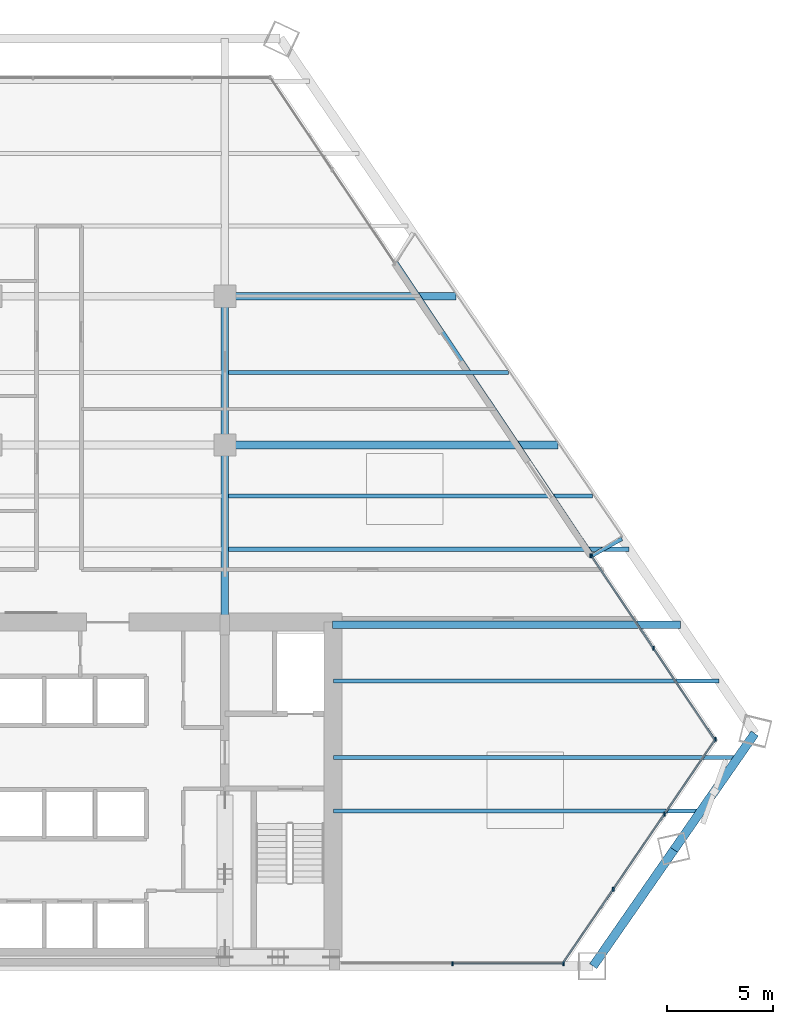
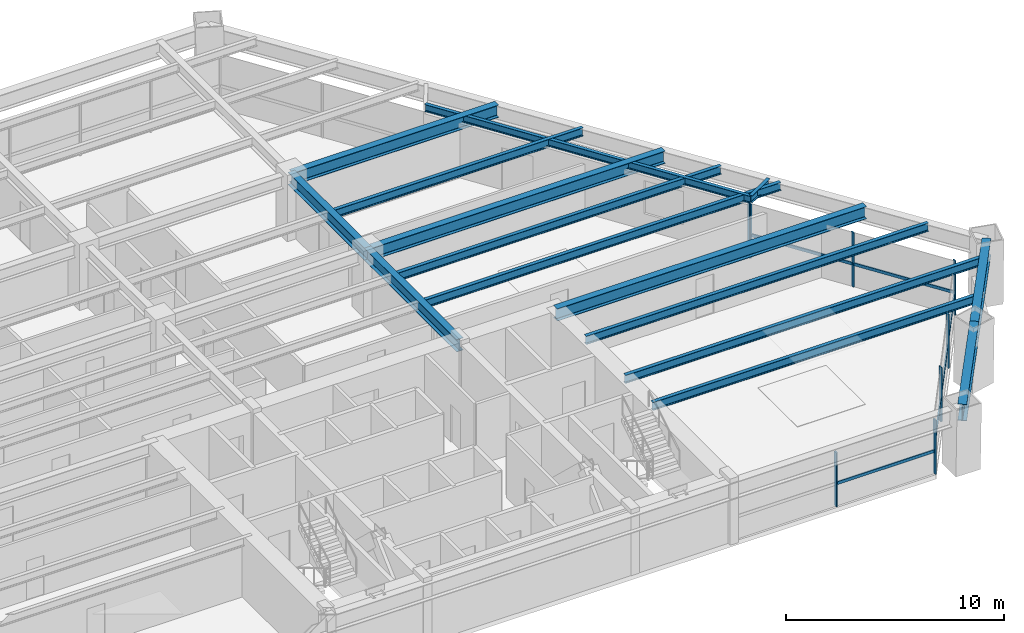
# One storey, part 6 of 14: 15 beams, 14 members, 3 elements without a shape of their own.
"""IFC4 building model written with IfcOpenShell, lengths in metres."""

from ifc_helpers import new_model, si_unit, direction, frame, origin, origin_2d, place, context, subcontext, project, spatial, rectangle, i_section, extrude, source, transform, mapped, material, material_profile, profile_set, type_object, type_shapes, element, aggregate, save


model = new_model("IFC4")

# Units and contexts
model_context = context("Model", 3, precision=1e-05, world=origin(), true_north=direction((0.0, 1.0)))
body_context = subcontext(model_context, "Body", "Model", "MODEL_VIEW")
ifc_project = project(units=[si_unit("LENGTHUNIT", "METRE"), si_unit("AREAUNIT", "SQUARE_METRE"), si_unit("VOLUMEUNIT", "CUBIC_METRE"), si_unit("PLANEANGLEUNIT", "RADIAN"), si_unit("MASSUNIT", "GRAM", prefix="KILO")], contexts=[model_context])

# Site, building, storey
site_placement = place(None, origin())
site = spatial("IfcSite", under=ifc_project, at=site_placement, CompositionType="ELEMENT")
building_placement = place(site_placement, origin())
building = spatial("IfcBuilding", under=site, at=building_placement, Name="Varnakhor Terracotta Tower", CompositionType="ELEMENT")
storey_placement = place(building_placement, frame((0.0, 0.0, 46.0)))
storey = spatial("IfcBuildingStorey", under=building, at=storey_placement, Name="L10", CompositionType="ELEMENT", Elevation=46.0)

# Beams
ifc_material_1 = material(Name="Steel S355", Category="steel")
ifc_material_profile_1 = material_profile(ifc_material_1, i_section(OverallWidth=0.35498046875, OverallDepth=0.695068359375, WebThickness=0.014892578125, FlangeThickness=0.02490234375, FilletRadius=0.01806640625, at=origin_2d()), Name="W27X146")
ifc_profile_set_1 = profile_set([ifc_material_profile_1], Name="Steel S355")
beam_type_1 = type_object("IfcBeamType", Name="BM-W27X146", PredefinedType="BEAM", material=ifc_profile_set_1)
shared_shape_1 = source(origin(), body_context, "Body", "SweptSolid", [
    extrude(i_section(OverallWidth=0.35498046875, OverallDepth=0.695068359375, WebThickness=0.014892578125, FlangeThickness=0.02490234375, FilletRadius=0.01806640625, at=origin_2d()), origin(), (0.0, 0.0, 1.0), 8.449951171875),
])
type_shapes(beam_type_1, [shared_shape_1])
beam_1_placement = place(storey_placement, frame((5.5, 16.050048828125, 3.1025390625), z_axis=(0.0, 1.0, 0.0), x_axis=(-1.0, 0.0, 0.0)))
element("IfcBeam", 1, at=beam_1_placement, inside=storey, type_object=beam_type_1, Name="L10 Primary Girder NS1-E", PredefinedType="BEAM", context=body_context, shape_type="MappedRepresentation", body=[
    mapped(shared_shape_1, transform((0.0, 0.0, 0.0), scale=1.0)),
])
shared_shape_2 = source(origin(), body_context, "Body", "SweptSolid", [
    extrude(i_section(OverallWidth=0.35498046875, OverallDepth=0.695068359375, WebThickness=0.014892578125, FlangeThickness=0.02490234375, FilletRadius=0.01806640625, at=origin_2d()), origin(), (0.0, 0.0, 1.0), 7.0),
])
beam_2_placement = place(storey_placement, frame((5.5, 24.5, 3.1025390625), z_axis=(0.0, 1.0, 0.0), x_axis=(-1.0, 0.0, 0.0)))
element("IfcBeam", 2, at=beam_2_placement, inside=storey, type_object=beam_type_1, Name="L10 Primary Girder NS2-E", PredefinedType="BEAM", context=body_context, shape_type="MappedRepresentation", body=[
    mapped(shared_shape_2, transform((0.0, 0.0, 0.0), scale=1.0)),
])
ifc_material_profile_2 = material_profile(ifc_material_1, i_section(OverallWidth=0.41796875, OverallDepth=0.927001953125, WebThickness=0.01904296875, FlangeThickness=0.031982421875, FilletRadius=0.01806640625, at=origin_2d()), Name="W36X231")
ifc_profile_set_2 = profile_set([ifc_material_profile_2], Name="Steel S355")
beam_type_2 = type_object("IfcBeamType", Name="BM-W36X231", PredefinedType="BEAM", material=ifc_profile_set_2)
shared_shape_3 = source(origin(), body_context, "Body", "SweptSolid", [
    extrude(i_section(OverallWidth=0.41796875, OverallDepth=0.927001953125, WebThickness=0.01904296875, FlangeThickness=0.031982421875, FilletRadius=0.01806640625, at=origin_2d()), origin(), (0.0, 0.0, 1.0), 6.66064453125),
])
beam_3_placement = place(storey_placement, frame((22.80859375, 0.0, 2.986572265625), z_axis=(0.57041779056, 0.821354700609, 0.0), x_axis=(-0.821354700609, 0.57041779056, 0.0)))
element("IfcBeam", 3, at=beam_3_placement, inside=storey, type_object=beam_type_2, Name="L10 Perimeter Spandrel 2", PredefinedType="BEAM", context=body_context, shape_type="MappedRepresentation", body=[
    mapped(shared_shape_3, transform((0.0, 0.0, 0.0), scale=1.0)),
])
shared_shape_4 = source(origin(), body_context, "Body", "SweptSolid", [
    extrude(i_section(OverallWidth=0.41796875, OverallDepth=0.927001953125, WebThickness=0.01904296875, FlangeThickness=0.031982421875, FilletRadius=0.01806640625, at=origin_2d()), origin(), (0.0, 0.0, 1.0), 6.66015625),
])
beam_4_placement = place(storey_placement, frame((26.60791015625, 5.470703125, 2.986572265625), z_axis=(0.570410235351, 0.82135994753, 0.0), x_axis=(-0.82135994753, 0.570410235351, 0.0)))
element("IfcBeam", 4, at=beam_4_placement, inside=storey, type_object=beam_type_2, Name="L10 Perimeter Spandrel 3", PredefinedType="BEAM", context=body_context, shape_type="MappedRepresentation", body=[
    mapped(shared_shape_4, transform((0.0, 0.0, 0.0), scale=1.0)),
])
ifc_material_profile_3 = material_profile(ifc_material_1, i_section(OverallWidth=0.179931640625, OverallDepth=0.39990234375, WebThickness=0.008544921875, FlangeThickness=0.013427734375, FilletRadius=0.01806640625, at=origin_2d()), Name="IPE400")
ifc_profile_set_3 = profile_set([ifc_material_profile_3], Name="Steel S355")
beam_type_3 = type_object("IfcBeamType", Name="JST-IPE400", PredefinedType="JOIST", material=ifc_profile_set_3)
shared_shape_5 = source(origin(), body_context, "Body", "SweptSolid", [
    extrude(i_section(OverallWidth=0.179931640625, OverallDepth=0.39990234375, WebThickness=0.008544921875, FlangeThickness=0.013427734375, FilletRadius=0.01806640625, at=origin_2d()), origin(), (0.0, 0.0, 1.0), 16.621337890625),
])
beam_5_placement = place(storey_placement, frame((22.762939453125, 19.304443359375, 3.25), z_axis=(-0.55608577936, 0.831124903967, 0.0), x_axis=(-0.831124903967, -0.55608577936, 0.0)))
element("IfcBeam", 5, at=beam_5_placement, inside=storey, type_object=beam_type_3, Name="L10 Loggia Edge Beam 1", PredefinedType="JOIST", context=body_context, shape_type="MappedRepresentation", body=[
    mapped(shared_shape_5, transform((0.0, 0.0, 0.0), scale=1.0)),
])
shared_shape_6 = source(origin(), body_context, "Body", "SweptSolid", [
    extrude(i_section(OverallWidth=0.35498046875, OverallDepth=0.695068359375, WebThickness=0.014892578125, FlangeThickness=0.02490234375, FilletRadius=0.01806640625, at=origin_2d()), origin(), (0.0, 0.0, 1.0), 16.3681640625),
])
beam_6_placement = place(storey_placement, frame((10.550048828125, 16.050048828125, 3.1025390625), z_axis=(1.0, 0.0, 0.0), x_axis=(0.0, 1.0, 0.0)))
element("IfcBeam", 6, at=beam_6_placement, inside=storey, type_object=beam_type_1, Name="L10 Wing Girder E", PredefinedType="BEAM", context=body_context, shape_type="MappedRepresentation", body=[
    mapped(shared_shape_6, transform((0.0, 0.0, 0.0), scale=1.0)),
])
shared_shape_7 = source(origin(), body_context, "Body", "SweptSolid", [
    extrude(i_section(OverallWidth=0.35498046875, OverallDepth=0.695068359375, WebThickness=0.014892578125, FlangeThickness=0.02490234375, FilletRadius=0.01806640625, at=origin_2d()), origin(), (0.0, 0.0, 1.0), 15.6474609375),
])
beam_7_placement = place(storey_placement, frame((5.5, 24.5, 3.1025390625), z_axis=(1.0, 0.0, 0.0), x_axis=(0.0, 1.0, 0.0)))
element("IfcBeam", 7, at=beam_7_placement, inside=storey, type_object=beam_type_1, Name="L10 Primary Girder EW2-3", PredefinedType="BEAM", context=body_context, shape_type="MappedRepresentation", body=[
    mapped(shared_shape_7, transform((0.0, 0.0, 0.0), scale=1.0)),
])
shared_shape_8 = source(origin(), body_context, "Body", "SweptSolid", [
    extrude(i_section(OverallWidth=0.35498046875, OverallDepth=0.695068359375, WebThickness=0.014892578125, FlangeThickness=0.02490234375, FilletRadius=0.01806640625, at=origin_2d()), origin(), (0.0, 0.0, 1.0), 10.866943359375),
])
beam_8_placement = place(storey_placement, frame((5.5, 31.5, 3.1025390625), z_axis=(1.0, 0.0, 0.0), x_axis=(0.0, 1.0, 0.0)))
element("IfcBeam", 8, at=beam_8_placement, inside=storey, type_object=beam_type_1, Name="L10 Primary Girder EW3-3", PredefinedType="BEAM", context=body_context, shape_type="MappedRepresentation", body=[
    mapped(shared_shape_8, transform((0.0, 0.0, 0.0), scale=1.0)),
])
ifc_material_profile_4 = material_profile(ifc_material_1, i_section(OverallWidth=0.19189453125, OverallDepth=0.462890625, WebThickness=0.010498046875, FlangeThickness=0.017578125, FilletRadius=0.01806640625, at=origin_2d()), Name="W18X60")
ifc_profile_set_4 = profile_set([ifc_material_profile_4], Name="Steel S355")
beam_type_4 = type_object("IfcBeamType", Name="JST-W18X60", PredefinedType="JOIST", material=ifc_profile_set_4)
shared_shape_9 = source(origin(), body_context, "Body", "SweptSolid", [
    extrude(i_section(OverallWidth=0.19189453125, OverallDepth=0.462890625, WebThickness=0.010498046875, FlangeThickness=0.017578125, FilletRadius=0.01806640625, at=origin_2d()), origin(), (0.0, 0.0, 1.0), 17.2783203125),
])
beam_9_placement = place(storey_placement, frame((10.60009765625, 7.300048828125, 3.218505859375), z_axis=(1.0, 0.0, 0.0), x_axis=(0.0, 1.0, 0.0)))
element("IfcBeam", 9, at=beam_9_placement, inside=storey, type_object=beam_type_4, Name="L10 Floor Joist E1", PredefinedType="JOIST", context=body_context, shape_type="MappedRepresentation", body=[
    mapped(shared_shape_9, transform((0.0, 0.0, 0.0), scale=1.0)),
])
shared_shape_10 = source(origin(), body_context, "Body", "SweptSolid", [
    extrude(i_section(OverallWidth=0.19189453125, OverallDepth=0.462890625, WebThickness=0.010498046875, FlangeThickness=0.017578125, FilletRadius=0.01806640625, at=origin_2d()), origin(), (0.0, 0.0, 1.0), 19.014404296875),
])
beam_10_placement = place(storey_placement, frame((10.60009765625, 9.800048828125, 3.218505859375), z_axis=(1.0, 0.0, 0.0), x_axis=(0.0, 1.0, 0.0)))
element("IfcBeam", 10, at=beam_10_placement, inside=storey, type_object=beam_type_4, Name="L10 Floor Joist E2", PredefinedType="JOIST", context=body_context, shape_type="MappedRepresentation", body=[
    mapped(shared_shape_10, transform((0.0, 0.0, 0.0), scale=1.0)),
])
shared_shape_11 = source(origin(), body_context, "Body", "SweptSolid", [
    extrude(i_section(OverallWidth=0.19189453125, OverallDepth=0.462890625, WebThickness=0.010498046875, FlangeThickness=0.017578125, FilletRadius=0.01806640625, at=origin_2d()), origin(), (0.0, 0.0, 1.0), 18.127685546875),
])
beam_11_placement = place(storey_placement, frame((10.60009765625, 13.39990234375, 3.218505859375), z_axis=(1.0, 0.0, 0.0), x_axis=(0.0, 1.0, 0.0)))
element("IfcBeam", 11, at=beam_11_placement, inside=storey, type_object=beam_type_4, Name="L10 Floor Joist E3", PredefinedType="JOIST", context=body_context, shape_type="MappedRepresentation", body=[
    mapped(shared_shape_11, transform((0.0, 0.0, 0.0), scale=1.0)),
])
shared_shape_12 = source(origin(), body_context, "Body", "SweptSolid", [
    extrude(i_section(OverallWidth=0.19189453125, OverallDepth=0.462890625, WebThickness=0.010498046875, FlangeThickness=0.017578125, FilletRadius=0.01806640625, at=origin_2d()), origin(), (0.0, 0.0, 1.0), 18.8203125),
])
beam_12_placement = place(storey_placement, frame((5.673583984375, 19.60009765625, 3.218505859375), z_axis=(1.0, 0.0, 0.0), x_axis=(0.0, 1.0, 0.0)))
element("IfcBeam", 12, at=beam_12_placement, inside=storey, type_object=beam_type_4, Name="L10 Composite Floor Joist 4-3", PredefinedType="JOIST", context=body_context, shape_type="MappedRepresentation", body=[
    mapped(shared_shape_12, transform((0.0, 0.0, 0.0), scale=1.0)),
])
shared_shape_13 = source(origin(), body_context, "Body", "SweptSolid", [
    extrude(i_section(OverallWidth=0.19189453125, OverallDepth=0.462890625, WebThickness=0.010498046875, FlangeThickness=0.017578125, FilletRadius=0.01806640625, at=origin_2d()), origin(), (0.0, 0.0, 1.0), 17.113037109375),
])
beam_13_placement = place(storey_placement, frame((5.673583984375, 22.10009765625, 3.218505859375), z_axis=(1.0, 0.0, 0.0), x_axis=(0.0, 1.0, 0.0)))
element("IfcBeam", 13, at=beam_13_placement, inside=storey, type_object=beam_type_4, Name="L10 Composite Floor Joist 5-3", PredefinedType="JOIST", context=body_context, shape_type="MappedRepresentation", body=[
    mapped(shared_shape_13, transform((0.0, 0.0, 0.0), scale=1.0)),
])
shared_shape_14 = source(origin(), body_context, "Body", "SweptSolid", [
    extrude(i_section(OverallWidth=0.19189453125, OverallDepth=0.462890625, WebThickness=0.010498046875, FlangeThickness=0.017578125, FilletRadius=0.01806640625, at=origin_2d()), origin(), (0.0, 0.0, 1.0), 13.15185546875),
])
beam_14_placement = place(storey_placement, frame((5.673583984375, 27.89990234375, 3.218505859375), z_axis=(1.0, 0.0, 0.0), x_axis=(0.0, 1.0, 0.0)))
element("IfcBeam", 14, at=beam_14_placement, inside=storey, type_object=beam_type_4, Name="L10 Composite Floor Joist 6-3", PredefinedType="JOIST", context=body_context, shape_type="MappedRepresentation", body=[
    mapped(shared_shape_14, transform((0.0, 0.0, 0.0), scale=1.0)),
])

# Curtain wall, members
ifc_material_2 = material(Name="Anodised Aluminium Curtain Wall System", Category="aluminium")
curtain_wall_type = type_object("IfcCurtainWallType", Name="CW-SYS-LOW-OFFICE", PredefinedType="NOTDEFINED", material=ifc_material_2)
curtain_wall_1_placement = place(storey_placement, origin())
curtain_wall_1 = element("IfcCurtainWall", 15, at=curtain_wall_1_placement, inside=storey, type_object=curtain_wall_type, Name="L10 E Facet Curtain Wall 2", PredefinedType="NOTDEFINED")
ifc_material_3 = material(Name="Anodised Aluminium 6063-T6", Category="aluminium")
ifc_material_profile_5 = material_profile(ifc_material_3, rectangle(XDim=0.074951171875, YDim=0.18505859375, at=origin_2d()), Name="ALU MULLION 75x185")
ifc_profile_set_5 = profile_set([ifc_material_profile_5], Name="Anodised Aluminium 6063-T6")
member_type_1 = type_object("IfcMemberType", Name="CWM-02", PredefinedType="MULLION", material=ifc_profile_set_5)
shared_shape_15 = source(origin(), body_context, "Body", "SweptSolid", [
    extrude(rectangle(XDim=0.074951171875, YDim=0.18505859375, at=origin_2d()), origin(), (0.0, 0.0, 1.0), 3.030029296875),
])
type_shapes(member_type_1, [shared_shape_15])
member_1_placement = place(storey_placement, frame((22.72314453125, 19.29052734375, 0.0), z_axis=(0.0, 0.0, 1.0), x_axis=(1.0, 0.0, 0.0)))
member_1 = element("IfcMember", 16, at=member_1_placement, type_object=member_type_1, Name="L10 E Facet Curtain Wall 2 Mullion 1", PredefinedType="MULLION", context=body_context, shape_type="MappedRepresentation", body=[
    mapped(shared_shape_15, transform((0.0, 0.0, 0.0), scale=1.0)),
])
member_2_placement = place(storey_placement, frame((25.642822265625, 14.940673828125, 0.0), z_axis=(0.0, 0.0, 1.0), x_axis=(1.0, 0.0, 0.0)))
member_2 = element("IfcMember", 17, at=member_2_placement, type_object=member_type_1, Name="L10 E Facet Curtain Wall 2 Mullion 2", PredefinedType="MULLION", context=body_context, shape_type="MappedRepresentation", body=[
    mapped(shared_shape_15, transform((0.0, 0.0, 0.0), scale=1.0)),
])
member_3_placement = place(storey_placement, frame((22.689697265625, 19.30419921875, 0.0), z_axis=(0.0, 0.0, 1.0), x_axis=(1.0, 0.0, 0.0)))
member_3 = element("IfcMember", 18, at=member_3_placement, type_object=member_type_1, Name="L10 E Loggia Jamb Closure Mullion 2", PredefinedType="MULLION", context=body_context, shape_type="MappedRepresentation", body=[
    mapped(shared_shape_15, transform((0.0, 0.0, 0.0), scale=1.0)),
])

curtain_wall_2_placement = place(storey_placement, origin())
curtain_wall_2 = element("IfcCurtainWall", 19, at=curtain_wall_2_placement, inside=storey, type_object=curtain_wall_type, Name="L10 Facet Curtain Wall 4", PredefinedType="NOTDEFINED")
member_4_placement = place(storey_placement, frame((28.562744140625, 10.675537109375, 0.0), z_axis=(0.0, 0.0, 1.0), x_axis=(1.0, 0.0, 0.0)))
member_4 = element("IfcMember", 20, at=member_4_placement, type_object=member_type_1, Name="L10 Facet Curtain Wall 4 Mullion 1", PredefinedType="MULLION", context=body_context, shape_type="MappedRepresentation", body=[
    mapped(shared_shape_15, transform((0.0, 0.0, 0.0), scale=1.0)),
])
member_5_placement = place(storey_placement, frame((26.1591796875, 7.147705078125, 0.0), z_axis=(0.0, 0.0, 1.0), x_axis=(1.0, 0.0, 0.0)))
member_5 = element("IfcMember", 21, at=member_5_placement, type_object=member_type_1, Name="L10 Facet Curtain Wall 4 Mullion 2", PredefinedType="MULLION", context=body_context, shape_type="MappedRepresentation", body=[
    mapped(shared_shape_15, transform((0.0, 0.0, 0.0), scale=1.0)),
])
member_6_placement = place(storey_placement, frame((23.755615234375, 3.6201171875, 0.0), z_axis=(0.0, 0.0, 1.0), x_axis=(1.0, 0.0, 0.0)))
member_6 = element("IfcMember", 22, at=member_6_placement, type_object=member_type_1, Name="L10 Facet Curtain Wall 4 Mullion 3", PredefinedType="MULLION", context=body_context, shape_type="MappedRepresentation", body=[
    mapped(shared_shape_15, transform((0.0, 0.0, 0.0), scale=1.0)),
])

curtain_wall_3_placement = place(storey_placement, origin())
curtain_wall_3 = element("IfcCurtainWall", 23, at=curtain_wall_3_placement, inside=storey, type_object=curtain_wall_type, Name="L10 South Wing Curtain Wall SSE", PredefinedType="NOTDEFINED")
member_7_placement = place(storey_placement, frame((21.42431640625, 0.1201171875, 0.0), z_axis=(0.0, 0.0, 1.0), x_axis=(1.0, 0.0, 0.0)))
member_7 = element("IfcMember", 24, at=member_7_placement, type_object=member_type_1, Name="L10 South Wing Curtain Wall SSE Mullion 1", PredefinedType="MULLION", context=body_context, shape_type="MappedRepresentation", body=[
    mapped(shared_shape_15, transform((0.0, 0.0, 0.0), scale=1.0)),
])
member_8_placement = place(storey_placement, frame((16.197021484375, 0.1201171875, 0.0), z_axis=(0.0, 0.0, 1.0), x_axis=(1.0, 0.0, 0.0)))
member_8 = element("IfcMember", 25, at=member_8_placement, type_object=member_type_1, Name="L10 South Wing Curtain Wall SSE Mullion 2", PredefinedType="MULLION", context=body_context, shape_type="MappedRepresentation", body=[
    mapped(shared_shape_15, transform((0.0, 0.0, 0.0), scale=1.0)),
])

# Member
ifc_material_profile_6 = material_profile(ifc_material_3, rectangle(XDim=0.074951171875, YDim=0.1650390625, at=origin_2d()), Name="ALU TRANSOM 75x165")
ifc_profile_set_6 = profile_set([ifc_material_profile_6], Name="Anodised Aluminium 6063-T6")
member_type_2 = type_object("IfcMemberType", Name="CWT-02", PredefinedType="USERDEFINED", material=ifc_profile_set_6)
shared_shape_16 = source(origin(), body_context, "Body", "SweptSolid", [
    extrude(rectangle(XDim=0.074951171875, YDim=0.1650390625, at=origin_2d()), origin(), (0.0, 0.0, 1.0), 5.23876953125),
])
member_9_placement = place(storey_placement, frame((22.72314453125, 19.29052734375, 1.272705078125), z_axis=(0.557310745008, -0.830304000652, 0.0), x_axis=(0.830304000652, 0.557310745008, 0.0)))
member_9 = element("IfcMember", 26, at=member_9_placement, type_object=member_type_2, Name="L10 E Facet Curtain Wall 2 Transom 1", ObjectType="TRANSOM", PredefinedType="USERDEFINED", context=body_context, shape_type="MappedRepresentation", body=[
    mapped(shared_shape_16, transform((0.0, 0.0, 0.0), scale=1.0)),
])

member_10_placement = place(storey_placement, frame((25.642822265625, 14.940673828125, 1.272705078125), z_axis=(0.557310745008, -0.830304000652, 0.0), x_axis=(0.830304000652, 0.557310745008, 0.0)))
member_10 = element("IfcMember", 27, at=member_10_placement, type_object=member_type_2, Name="L10 E Facet Curtain Wall 2 Transom 2", ObjectType="TRANSOM", PredefinedType="USERDEFINED", context=body_context, shape_type="MappedRepresentation", body=[
    mapped(shared_shape_16, transform((0.0, 0.0, 0.0), scale=1.0)),
])

aggregate(curtain_wall_1, [member_1, member_9, member_2, member_10, member_3])

shared_shape_17 = source(origin(), body_context, "Body", "SweptSolid", [
    extrude(rectangle(XDim=0.074951171875, YDim=0.1650390625, at=origin_2d()), origin(), (0.0, 0.0, 1.0), 4.268798828125),
])
member_11_placement = place(storey_placement, frame((28.562744140625, 10.675537109375, 1.272705078125), z_axis=(-0.563052849224, -0.826420890939, 0.0), x_axis=(0.826420890939, -0.563052849224, 0.0)))
member_11 = element("IfcMember", 28, at=member_11_placement, type_object=member_type_2, Name="L10 Facet Curtain Wall 4 Transom 1", ObjectType="TRANSOM", PredefinedType="USERDEFINED", context=body_context, shape_type="MappedRepresentation", body=[
    mapped(shared_shape_17, transform((0.0, 0.0, 0.0), scale=1.0)),
])

shared_shape_18 = source(origin(), body_context, "Body", "SweptSolid", [
    extrude(rectangle(XDim=0.074951171875, YDim=0.1650390625, at=origin_2d()), origin(), (0.0, 0.0, 1.0), 4.2685546875),
])
member_12_placement = place(storey_placement, frame((26.1591796875, 7.147705078125, 1.272705078125), z_axis=(-0.563079462581, -0.826402758236, 0.0), x_axis=(0.826402758236, -0.563079462581, 0.0)))
member_12 = element("IfcMember", 29, at=member_12_placement, type_object=member_type_2, Name="L10 Facet Curtain Wall 4 Transom 2", ObjectType="TRANSOM", PredefinedType="USERDEFINED", context=body_context, shape_type="MappedRepresentation", body=[
    mapped(shared_shape_18, transform((0.0, 0.0, 0.0), scale=1.0)),
])

shared_shape_19 = source(origin(), body_context, "Body", "SweptSolid", [
    extrude(rectangle(XDim=0.074951171875, YDim=0.1650390625, at=origin_2d()), origin(), (0.0, 0.0, 1.0), 4.26904296875),
])
member_13_placement = place(storey_placement, frame((23.755615234375, 3.6201171875, 1.272705078125), z_axis=(-0.563091907677, -0.826394278482, 0.0), x_axis=(0.826394278482, -0.563091907677, 0.0)))
member_13 = element("IfcMember", 30, at=member_13_placement, type_object=member_type_2, Name="L10 Facet Curtain Wall 4 Transom 3", ObjectType="TRANSOM", PredefinedType="USERDEFINED", context=body_context, shape_type="MappedRepresentation", body=[
    mapped(shared_shape_19, transform((0.0, 0.0, 0.0), scale=1.0)),
])

aggregate(curtain_wall_2, [member_4, member_11, member_5, member_12, member_6, member_13])

shared_shape_20 = source(origin(), body_context, "Body", "SweptSolid", [
    extrude(rectangle(XDim=0.074951171875, YDim=0.1650390625, at=origin_2d()), origin(), (0.0, 0.0, 1.0), 5.227294921875),
])
member_14_placement = place(storey_placement, frame((21.42431640625, 0.1201171875, 1.272705078125), z_axis=(-1.0, 0.0, 0.0), x_axis=(0.0, -1.0, 0.0)))
member_14 = element("IfcMember", 31, at=member_14_placement, type_object=member_type_2, Name="L10 South Wing Curtain Wall SSE Transom 1", ObjectType="TRANSOM", PredefinedType="USERDEFINED", context=body_context, shape_type="MappedRepresentation", body=[
    mapped(shared_shape_20, transform((0.0, 0.0, 0.0), scale=1.0)),
])

aggregate(curtain_wall_3, [member_7, member_14, member_8])

# Beam
shared_shape_21 = source(origin(), body_context, "Body", "SweptSolid", [
    extrude(i_section(OverallWidth=0.179931640625, OverallDepth=0.39990234375, WebThickness=0.008544921875, FlangeThickness=0.013427734375, FilletRadius=0.01806640625, at=origin_2d()), origin(), (0.0, 0.0, 1.0), 1.60205078125),
])
beam_15_placement = place(storey_placement, frame((22.762939453125, 19.304443359375, 3.25), z_axis=(0.871571467084, 0.49026847519, 0.0), x_axis=(-0.49026847519, 0.871571467084, 0.0)))
element("IfcBeam", 32, at=beam_15_placement, inside=storey, type_object=beam_type_3, Name="L11 E Loggia Tie Beam 2", PredefinedType="JOIST", context=body_context, shape_type="MappedRepresentation", body=[
    mapped(shared_shape_21, transform((0.0, 0.0, 0.0), scale=1.0)),
])

save(model, "model.ifc")
